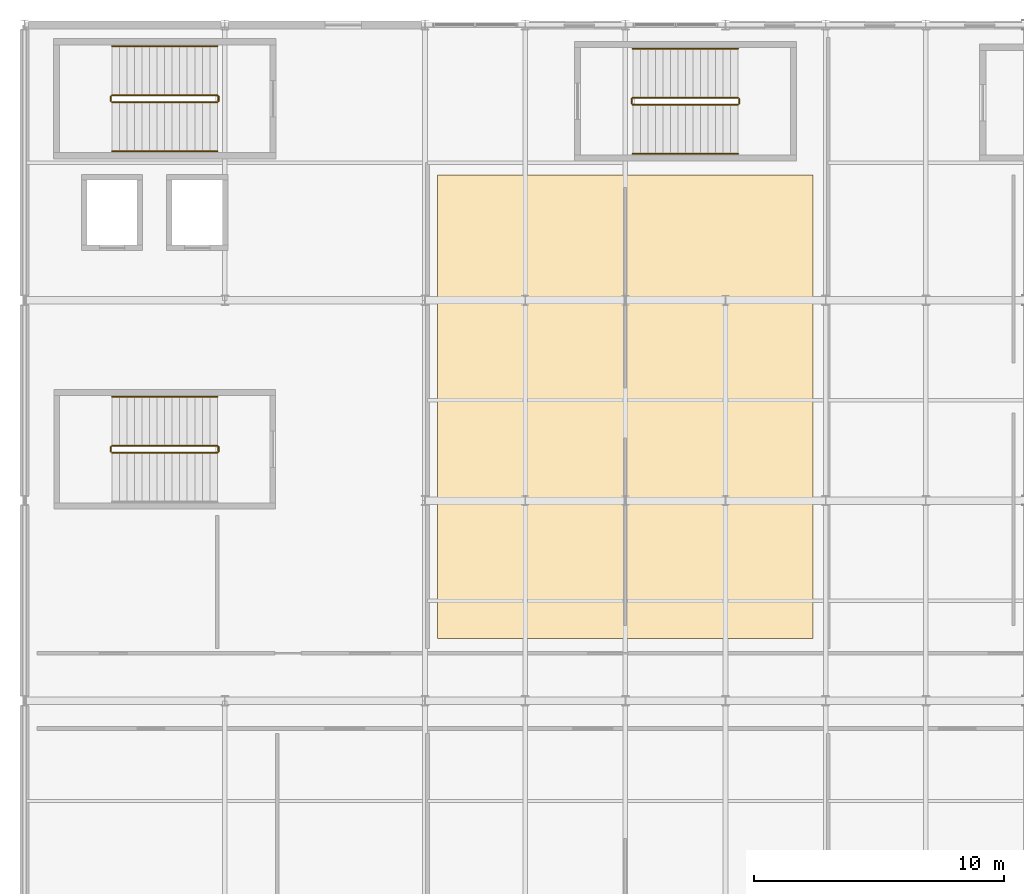
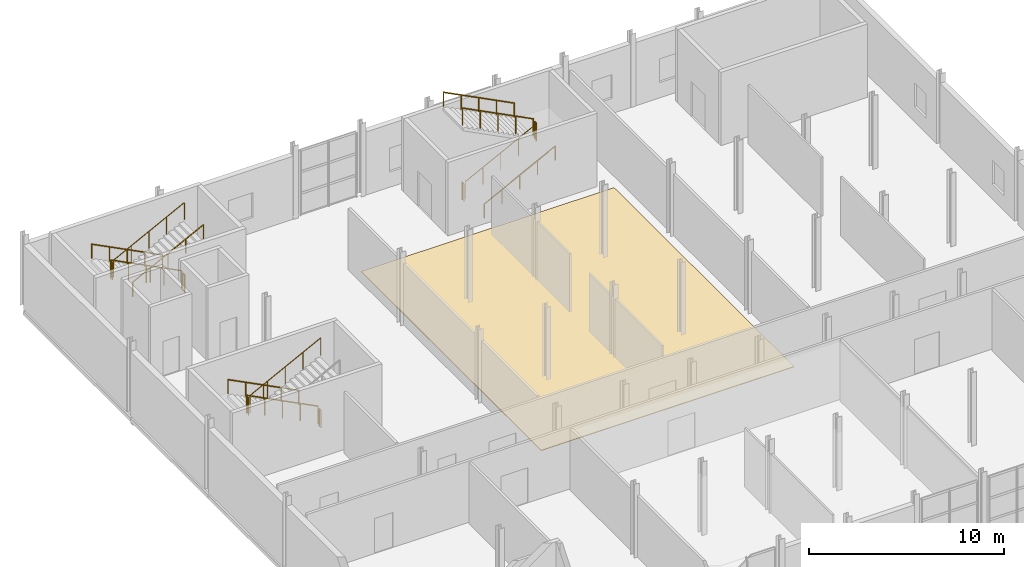
# One storey, part 66 of 67: 17 railings, 1 covering.
"""IFC4 building model written with IfcOpenShell, lengths in metres."""

from ifc_helpers import new_model, si_unit, derived_unit, direction, frame, origin, origin_2d, place, context, subcontext, project, spatial, polyline, circle, outline, extrude, material, layer, layer_set, type_object, element, save


model = new_model("IFC4")

# Units and contexts
model_context = context("Model", 3, precision=1e-05, world=origin(), true_north=direction((0.0, 1.0)))
body_context = subcontext(model_context, "Body", "Model", "MODEL_VIEW")
ifc_project = project(units=[si_unit("LENGTHUNIT", "METRE"), si_unit("AREAUNIT", "SQUARE_METRE"), si_unit("VOLUMEUNIT", "CUBIC_METRE"), si_unit("PLANEANGLEUNIT", "RADIAN"), si_unit("MASSUNIT", "GRAM", prefix="KILO"), derived_unit("THERMALTRANSMITTANCEUNIT", [(si_unit("POWERUNIT", "WATT"), 1), (si_unit("LENGTHUNIT", "METRE"), -2), (si_unit("THERMODYNAMICTEMPERATUREUNIT", "KELVIN"), -1)])], contexts=[model_context])

# Site, building, storey
site_placement = place(None, origin())
site = spatial("IfcSite", under=ifc_project, at=site_placement, CompositionType="ELEMENT")
building_placement = place(site_placement, origin())
building = spatial("IfcBuilding", under=site, at=building_placement, Name="Keldorne Ridge Multi-Sports Centre", CompositionType="ELEMENT")
storey_placement = place(building_placement, frame((0.0, 0.0, 14.0)))
storey = spatial("IfcBuildingStorey", under=building, at=storey_placement, Name="L03", CompositionType="ELEMENT", Elevation=14.0)

# Covering
ifc_material_1 = material(Name="Sprung beech sports flooring")
ifc_layer = layer(ifc_material_1, 0.044921875)
ifc_layer_set = layer_set([ifc_layer])
covering_type = type_object("IfcCoveringType", Name="COV-FL-01", PredefinedType="FLOORING", material=ifc_layer_set)
covering_placement = place(storey_placement, origin())
element("IfcCovering", 1, at=covering_placement, inside=storey, type_object=covering_type, Name="Dance Studio sprung beech floor", PredefinedType="FLOORING", context=body_context, shape_type="SweptSolid", body=[
    extrude(outline(polyline([(120.5, 92.5), (135.5, 92.5), (135.5, 111.0), (120.5, 111.0), (120.5, 92.5)])), origin(), (0.0, 0.0, 1.0), 0.044921875),
])

# Railings
ifc_material_2 = material(Name="Laminated glass and stainless steel", Category="steel")
railing_type_1 = type_object("IfcRailingType", Name="RLG-BL-01", PredefinedType="BALUSTRADE", material=ifc_material_2)
railing_1_placement = place(storey_placement, frame((111.699951171875, 114.18994140625, 0.1533203125)))
element("IfcRailing", 2, at=railing_1_placement, inside=storey, type_object=railing_type_1, Name="L03 ST-01 stair guard 1", PredefinedType="BALUSTRADE", context=body_context, shape_type="SweptSolid", body=[
    extrude(circle(Radius=0.02392578125, at=origin_2d()), frame((0.0, 0.0, 1.076171875), z_axis=(-0.890427224097, 0.0, 0.455125651426), x_axis=(0.0, -1.0, 0.0)), (0.0, 0.0, 1.0), 4.716796875),
    extrude(circle(Radius=0.02099609375, at=origin_2d()), origin(), (0.0, 0.0, 1.0), 1.052001953125),
    extrude(circle(Radius=0.02099609375, at=origin_2d()), frame((-1.050048828125, 0.0, 0.53662109375)), (0.0, 0.0, 1.0), 1.052001953125),
    extrude(circle(Radius=0.02099609375, at=origin_2d()), frame((-2.10009765625, 0.0, 1.0732421875)), (0.0, 0.0, 1.0), 1.052001953125),
    extrude(circle(Radius=0.02099609375, at=origin_2d()), frame((-3.14990234375, 0.0, 1.610107421875)), (0.0, 0.0, 1.0), 1.052001953125),
    extrude(circle(Radius=0.02099609375, at=origin_2d()), frame((-4.199951171875, 0.0, 2.146728515625)), (0.0, 0.0, 1.0), 1.052001953125),
])
railing_2_placement = place(storey_placement, frame((107.449951171875, 114.139892578125, 2.300048828125)))
element("IfcRailing", 3, at=railing_2_placement, inside=storey, type_object=railing_type_1, Name="L03 ST-01 stair guard 2", PredefinedType="BALUSTRADE", context=body_context, shape_type="SweptSolid", body=[
    extrude(circle(Radius=0.02392578125, at=origin_2d()), frame((0.0, 0.0, 1.076171875), z_axis=(0.0, -1.0, 0.0), x_axis=(1.0, 0.0, 0.0)), (0.0, 0.0, 1.0), 0.179931640625),
    extrude(circle(Radius=0.02099609375, at=origin_2d()), origin(), (0.0, 0.0, 1.0), 1.052001953125),
    extrude(circle(Radius=0.02099609375, at=origin_2d()), frame((0.0, -0.179931640625, 0.0)), (0.0, 0.0, 1.0), 1.052001953125),
])
railing_3_placement = place(storey_placement, frame((107.5, 113.909912109375, 2.453369140625)))
element("IfcRailing", 4, at=railing_3_placement, inside=storey, type_object=railing_type_1, Name="L03 ST-01 stair guard 3", PredefinedType="BALUSTRADE", context=body_context, shape_type="SweptSolid", body=[
    extrude(circle(Radius=0.02392578125, at=origin_2d()), frame((0.0, 0.0, 1.076171875), z_axis=(0.890427224097, 0.0, 0.455125651426), x_axis=(0.0, 1.0, 0.0)), (0.0, 0.0, 1.0), 4.716796875),
    extrude(circle(Radius=0.02099609375, at=origin_2d()), origin(), (0.0, 0.0, 1.0), 1.052001953125),
    extrude(circle(Radius=0.02099609375, at=origin_2d()), frame((1.050048828125, 0.0, 0.53662109375)), (0.0, 0.0, 1.0), 1.052001953125),
    extrude(circle(Radius=0.02099609375, at=origin_2d()), frame((2.10009765625, 0.0, 1.0732421875)), (0.0, 0.0, 1.0), 1.052001953125),
    extrude(circle(Radius=0.02099609375, at=origin_2d()), frame((3.14990234375, 0.0, 1.610107421875)), (0.0, 0.0, 1.0), 1.052001953125),
    extrude(circle(Radius=0.02099609375, at=origin_2d()), frame((4.199951171875, 0.0, 2.146728515625)), (0.0, 0.0, 1.0), 1.052001953125),
])
railing_4_placement = place(storey_placement, frame((111.75, 114.139892578125, 0.0)))
element("IfcRailing", 5, at=railing_4_placement, inside=storey, type_object=railing_type_1, Name="L03 ST-01 stair guard 4", PredefinedType="BALUSTRADE", context=body_context, shape_type="SweptSolid", body=[
    extrude(circle(Radius=0.02392578125, at=origin_2d()), frame((0.0, 0.0, 1.076171875), z_axis=(0.0, -1.0, 0.0), x_axis=(1.0, 0.0, 0.0)), (0.0, 0.0, 1.0), 0.179931640625),
    extrude(circle(Radius=0.02099609375, at=origin_2d()), origin(), (0.0, 0.0, 1.0), 1.052001953125),
    extrude(circle(Radius=0.02099609375, at=origin_2d()), frame((0.0, -0.179931640625, 0.0)), (0.0, 0.0, 1.0), 1.052001953125),
])
railing_5_placement = place(storey_placement, frame((128.300048828125, 113.81005859375, 0.1533203125)))
element("IfcRailing", 6, at=railing_5_placement, inside=storey, type_object=railing_type_1, Name="L03 ST-10 stair guard 1", PredefinedType="BALUSTRADE", context=body_context, shape_type="SweptSolid", body=[
    extrude(circle(Radius=0.02392578125, at=origin_2d()), frame((0.0, 0.0, 1.076171875), z_axis=(0.890427224097, 0.0, 0.455125651426), x_axis=(0.0, 1.0, 0.0)), (0.0, 0.0, 1.0), 4.716796875),
    extrude(circle(Radius=0.02099609375, at=origin_2d()), origin(), (0.0, 0.0, 1.0), 1.052001953125),
    extrude(circle(Radius=0.02099609375, at=origin_2d()), frame((1.050048828125, 0.0, 0.53662109375)), (0.0, 0.0, 1.0), 1.052001953125),
    extrude(circle(Radius=0.02099609375, at=origin_2d()), frame((2.10009765625, 0.0, 1.0732421875)), (0.0, 0.0, 1.0), 1.052001953125),
    extrude(circle(Radius=0.02099609375, at=origin_2d()), frame((3.14990234375, 0.0, 1.610107421875)), (0.0, 0.0, 1.0), 1.052001953125),
    extrude(circle(Radius=0.02099609375, at=origin_2d()), frame((4.199951171875, 0.0, 2.146728515625)), (0.0, 0.0, 1.0), 1.052001953125),
])
railing_6_placement = place(storey_placement, frame((132.550048828125, 113.860107421875, 2.300048828125)))
element("IfcRailing", 7, at=railing_6_placement, inside=storey, type_object=railing_type_1, Name="L03 ST-10 stair guard 2", PredefinedType="BALUSTRADE", context=body_context, shape_type="SweptSolid", body=[
    extrude(circle(Radius=0.02392578125, at=origin_2d()), frame((0.0, 0.0, 1.076171875), z_axis=(0.0, 1.0, 0.0), x_axis=(-1.0, 0.0, 0.0)), (0.0, 0.0, 1.0), 0.179931640625),
    extrude(circle(Radius=0.02099609375, at=origin_2d()), origin(), (0.0, 0.0, 1.0), 1.052001953125),
    extrude(circle(Radius=0.02099609375, at=origin_2d()), frame((0.0, 0.179931640625, 0.0)), (0.0, 0.0, 1.0), 1.052001953125),
])
railing_7_placement = place(storey_placement, frame((132.5, 114.090087890625, 2.453369140625)))
element("IfcRailing", 8, at=railing_7_placement, inside=storey, type_object=railing_type_1, Name="L03 ST-10 stair guard 3", PredefinedType="BALUSTRADE", context=body_context, shape_type="SweptSolid", body=[
    extrude(circle(Radius=0.02392578125, at=origin_2d()), frame((0.0, 0.0, 1.076171875), z_axis=(-0.890427224097, 0.0, 0.455125651426), x_axis=(0.0, -1.0, 0.0)), (0.0, 0.0, 1.0), 4.716796875),
    extrude(circle(Radius=0.02099609375, at=origin_2d()), origin(), (0.0, 0.0, 1.0), 1.052001953125),
    extrude(circle(Radius=0.02099609375, at=origin_2d()), frame((-1.050048828125, 0.0, 0.53662109375)), (0.0, 0.0, 1.0), 1.052001953125),
    extrude(circle(Radius=0.02099609375, at=origin_2d()), frame((-2.10009765625, 0.0, 1.0732421875)), (0.0, 0.0, 1.0), 1.052001953125),
    extrude(circle(Radius=0.02099609375, at=origin_2d()), frame((-3.14990234375, 0.0, 1.610107421875)), (0.0, 0.0, 1.0), 1.052001953125),
    extrude(circle(Radius=0.02099609375, at=origin_2d()), frame((-4.199951171875, 0.0, 2.146728515625)), (0.0, 0.0, 1.0), 1.052001953125),
])
railing_8_placement = place(storey_placement, frame((128.25, 113.860107421875, 0.0)))
element("IfcRailing", 9, at=railing_8_placement, inside=storey, type_object=railing_type_1, Name="L03 ST-10 stair guard 4", PredefinedType="BALUSTRADE", context=body_context, shape_type="SweptSolid", body=[
    extrude(circle(Radius=0.02392578125, at=origin_2d()), frame((0.0, 0.0, 1.076171875), z_axis=(0.0, 1.0, 0.0), x_axis=(-1.0, 0.0, 0.0)), (0.0, 0.0, 1.0), 0.179931640625),
    extrude(circle(Radius=0.02099609375, at=origin_2d()), origin(), (0.0, 0.0, 1.0), 1.052001953125),
    extrude(circle(Radius=0.02099609375, at=origin_2d()), frame((0.0, 0.179931640625, 0.0)), (0.0, 0.0, 1.0), 1.052001953125),
])
railing_9_placement = place(storey_placement, frame((111.699951171875, 100.18994140625, 0.1533203125)))
element("IfcRailing", 10, at=railing_9_placement, inside=storey, type_object=railing_type_1, Name="L03 ST-11 stair guard 1", PredefinedType="BALUSTRADE", context=body_context, shape_type="SweptSolid", body=[
    extrude(circle(Radius=0.02392578125, at=origin_2d()), frame((0.0, 0.0, 1.076171875), z_axis=(-0.890427224097, 0.0, 0.455125651426), x_axis=(0.0, -1.0, 0.0)), (0.0, 0.0, 1.0), 4.716796875),
    extrude(circle(Radius=0.02099609375, at=origin_2d()), origin(), (0.0, 0.0, 1.0), 1.052001953125),
    extrude(circle(Radius=0.02099609375, at=origin_2d()), frame((-1.050048828125, 0.0, 0.53662109375)), (0.0, 0.0, 1.0), 1.052001953125),
    extrude(circle(Radius=0.02099609375, at=origin_2d()), frame((-2.10009765625, 0.0, 1.0732421875)), (0.0, 0.0, 1.0), 1.052001953125),
    extrude(circle(Radius=0.02099609375, at=origin_2d()), frame((-3.14990234375, 0.0, 1.610107421875)), (0.0, 0.0, 1.0), 1.052001953125),
    extrude(circle(Radius=0.02099609375, at=origin_2d()), frame((-4.199951171875, 0.0, 2.146728515625)), (0.0, 0.0, 1.0), 1.052001953125),
])
railing_10_placement = place(storey_placement, frame((107.449951171875, 100.139892578125, 2.300048828125)))
element("IfcRailing", 11, at=railing_10_placement, inside=storey, type_object=railing_type_1, Name="L03 ST-11 stair guard 2", PredefinedType="BALUSTRADE", context=body_context, shape_type="SweptSolid", body=[
    extrude(circle(Radius=0.02392578125, at=origin_2d()), frame((0.0, 0.0, 1.076171875), z_axis=(0.0, -1.0, 0.0), x_axis=(1.0, 0.0, 0.0)), (0.0, 0.0, 1.0), 0.179931640625),
    extrude(circle(Radius=0.02099609375, at=origin_2d()), origin(), (0.0, 0.0, 1.0), 1.052001953125),
    extrude(circle(Radius=0.02099609375, at=origin_2d()), frame((0.0, -0.179931640625, 0.0)), (0.0, 0.0, 1.0), 1.052001953125),
])
railing_11_placement = place(storey_placement, frame((107.5, 99.909912109375, 2.453369140625)))
element("IfcRailing", 12, at=railing_11_placement, inside=storey, type_object=railing_type_1, Name="L03 ST-11 stair guard 3", PredefinedType="BALUSTRADE", context=body_context, shape_type="SweptSolid", body=[
    extrude(circle(Radius=0.02392578125, at=origin_2d()), frame((0.0, 0.0, 1.076171875), z_axis=(0.890427224097, 0.0, 0.455125651426), x_axis=(0.0, 1.0, 0.0)), (0.0, 0.0, 1.0), 4.716796875),
    extrude(circle(Radius=0.02099609375, at=origin_2d()), origin(), (0.0, 0.0, 1.0), 1.052001953125),
    extrude(circle(Radius=0.02099609375, at=origin_2d()), frame((1.050048828125, 0.0, 0.53662109375)), (0.0, 0.0, 1.0), 1.052001953125),
    extrude(circle(Radius=0.02099609375, at=origin_2d()), frame((2.10009765625, 0.0, 1.0732421875)), (0.0, 0.0, 1.0), 1.052001953125),
    extrude(circle(Radius=0.02099609375, at=origin_2d()), frame((3.14990234375, 0.0, 1.610107421875)), (0.0, 0.0, 1.0), 1.052001953125),
    extrude(circle(Radius=0.02099609375, at=origin_2d()), frame((4.199951171875, 0.0, 2.146728515625)), (0.0, 0.0, 1.0), 1.052001953125),
])
railing_12_placement = place(storey_placement, frame((111.75, 100.139892578125, 0.0)))
element("IfcRailing", 13, at=railing_12_placement, inside=storey, type_object=railing_type_1, Name="L03 ST-11 stair guard 4", PredefinedType="BALUSTRADE", context=body_context, shape_type="SweptSolid", body=[
    extrude(circle(Radius=0.02392578125, at=origin_2d()), frame((0.0, 0.0, 1.076171875), z_axis=(0.0, -1.0, 0.0), x_axis=(1.0, 0.0, 0.0)), (0.0, 0.0, 1.0), 0.179931640625),
    extrude(circle(Radius=0.02099609375, at=origin_2d()), origin(), (0.0, 0.0, 1.0), 1.052001953125),
    extrude(circle(Radius=0.02099609375, at=origin_2d()), frame((0.0, -0.179931640625, 0.0)), (0.0, 0.0, 1.0), 1.052001953125),
])
ifc_material_3 = material(Name="Stainless steel", Category="steel")
railing_type_2 = type_object("IfcRailingType", Name="RLG-HR-01", PredefinedType="HANDRAIL", material=ifc_material_3)
railing_13_placement = place(storey_placement, frame((111.699951171875, 116.14990234375, 0.1533203125)))
element("IfcRailing", 14, at=railing_13_placement, inside=storey, type_object=railing_type_2, Name="L03 ST-01 stair handrail 1", PredefinedType="HANDRAIL", context=body_context, shape_type="SweptSolid", body=[
    extrude(circle(Radius=0.02392578125, at=origin_2d()), frame((0.0, 0.0, 0.8759765625), z_axis=(-0.890427224097, 0.0, 0.455125651426), x_axis=(0.0, -1.0, 0.0)), (0.0, 0.0, 1.0), 4.716796875),
    extrude(circle(Radius=0.02099609375, at=origin_2d()), origin(), (0.0, 0.0, 1.0), 0.851806640625),
    extrude(circle(Radius=0.02099609375, at=origin_2d()), frame((-1.050048828125, 0.0, 0.53662109375)), (0.0, 0.0, 1.0), 0.851806640625),
    extrude(circle(Radius=0.02099609375, at=origin_2d()), frame((-2.10009765625, 0.0, 1.0732421875)), (0.0, 0.0, 1.0), 0.851806640625),
    extrude(circle(Radius=0.02099609375, at=origin_2d()), frame((-3.14990234375, 0.0, 1.610107421875)), (0.0, 0.0, 1.0), 0.851806640625),
    extrude(circle(Radius=0.02099609375, at=origin_2d()), frame((-4.199951171875, 0.0, 2.146728515625)), (0.0, 0.0, 1.0), 0.851806640625),
])
for number, where, name in (
    (15, (107.5, 111.949951171875, 2.453369140625), "L03 ST-01 stair handrail 2"),
    (16, (128.300048828125, 111.85009765625, 0.1533203125), "L03 ST-10 stair handrail 1"),
):
    element("IfcRailing", number, at=place(storey_placement, frame(where)), inside=storey, type_object=railing_type_2, Name=name, PredefinedType="HANDRAIL", context=body_context, shape_type="SweptSolid", body=[
        extrude(circle(Radius=0.02392578125, at=origin_2d()), frame((0.0, 0.0, 0.8759765625), z_axis=(0.890427224097, 0.0, 0.455125651426), x_axis=(0.0, 1.0, 0.0)), (0.0, 0.0, 1.0), 4.716796875),
        extrude(circle(Radius=0.02099609375, at=origin_2d()), origin(), (0.0, 0.0, 1.0), 0.851806640625),
        extrude(circle(Radius=0.02099609375, at=origin_2d()), frame((1.050048828125, 0.0, 0.53662109375)), (0.0, 0.0, 1.0), 0.851806640625),
        extrude(circle(Radius=0.02099609375, at=origin_2d()), frame((2.10009765625, 0.0, 1.0732421875)), (0.0, 0.0, 1.0), 0.851806640625),
        extrude(circle(Radius=0.02099609375, at=origin_2d()), frame((3.14990234375, 0.0, 1.610107421875)), (0.0, 0.0, 1.0), 0.851806640625),
        extrude(circle(Radius=0.02099609375, at=origin_2d()), frame((4.199951171875, 0.0, 2.146728515625)), (0.0, 0.0, 1.0), 0.851806640625),
    ])
for number, where, name in (
    (17, (132.5, 116.050048828125, 2.453369140625), "L03 ST-10 stair handrail 2"),
    (18, (111.699951171875, 102.14990234375, 0.1533203125), "L03 ST-11 stair handrail 1"),
):
    element("IfcRailing", number, at=place(storey_placement, frame(where)), inside=storey, type_object=railing_type_2, Name=name, PredefinedType="HANDRAIL", context=body_context, shape_type="SweptSolid", body=[
        extrude(circle(Radius=0.02392578125, at=origin_2d()), frame((0.0, 0.0, 0.8759765625), z_axis=(-0.890427224097, 0.0, 0.455125651426), x_axis=(0.0, -1.0, 0.0)), (0.0, 0.0, 1.0), 4.716796875),
        extrude(circle(Radius=0.02099609375, at=origin_2d()), origin(), (0.0, 0.0, 1.0), 0.851806640625),
        extrude(circle(Radius=0.02099609375, at=origin_2d()), frame((-1.050048828125, 0.0, 0.53662109375)), (0.0, 0.0, 1.0), 0.851806640625),
        extrude(circle(Radius=0.02099609375, at=origin_2d()), frame((-2.10009765625, 0.0, 1.0732421875)), (0.0, 0.0, 1.0), 0.851806640625),
        extrude(circle(Radius=0.02099609375, at=origin_2d()), frame((-3.14990234375, 0.0, 1.610107421875)), (0.0, 0.0, 1.0), 0.851806640625),
        extrude(circle(Radius=0.02099609375, at=origin_2d()), frame((-4.199951171875, 0.0, 2.146728515625)), (0.0, 0.0, 1.0), 0.851806640625),
    ])

save(model, "model.ifc")
